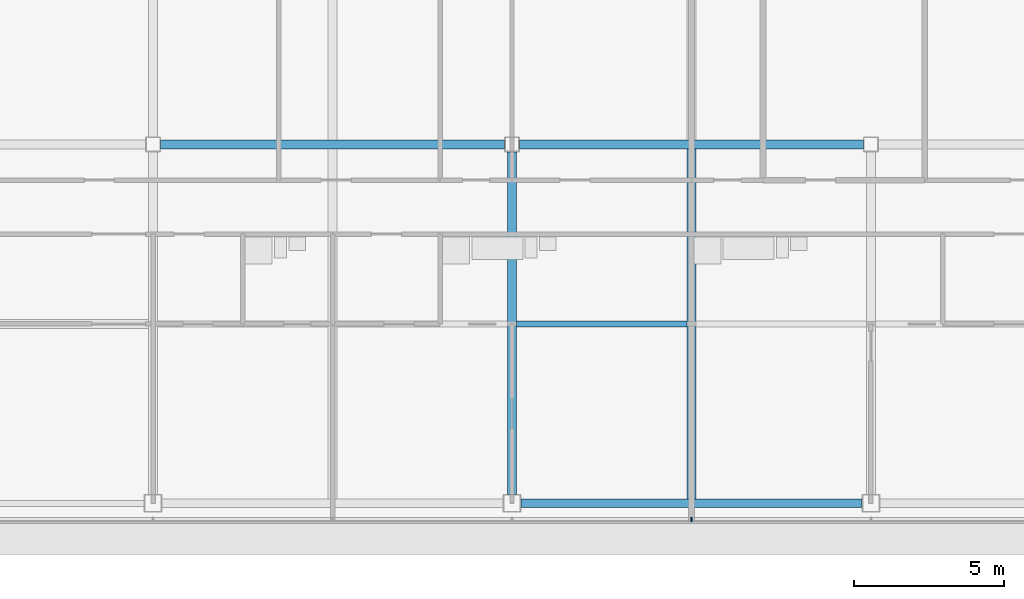
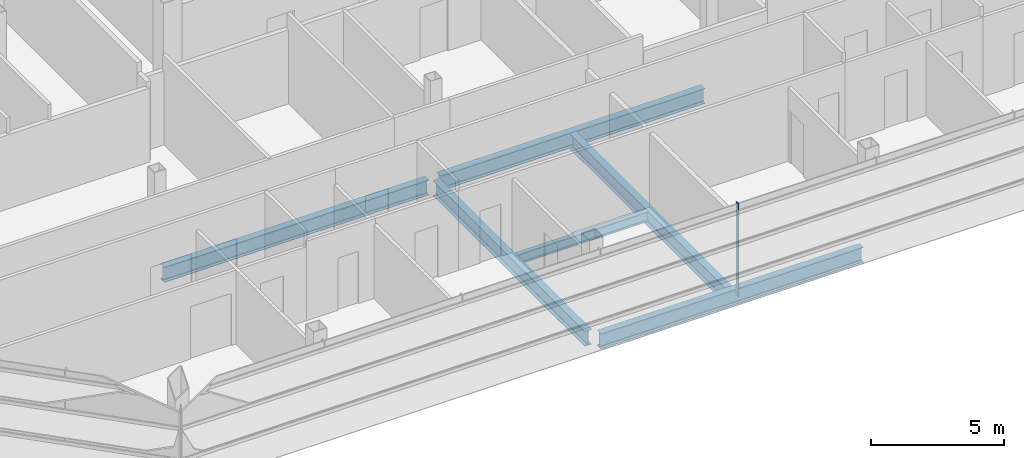
# One storey, part 4 of 29: 6 beams, 1 member, 1 element without a shape of its own.
"""IFC4 building model written with IfcOpenShell, lengths in metres."""

from ifc_helpers import new_model, si_unit, direction, frame, origin, origin_2d, place, context, subcontext, project, spatial, rectangle, i_section, extrude, material, material_profile, profile_set, type_object, element, aggregate, save


model = new_model("IFC4")

# Units and contexts
model_context = context("Model", 3, precision=1e-05, world=origin(), true_north=direction((0.0, 1.0)))
body_context = subcontext(model_context, "Body", "Model", "MODEL_VIEW")
ifc_project = project(units=[si_unit("LENGTHUNIT", "METRE"), si_unit("AREAUNIT", "SQUARE_METRE"), si_unit("VOLUMEUNIT", "CUBIC_METRE"), si_unit("PLANEANGLEUNIT", "RADIAN"), si_unit("MASSUNIT", "GRAM", prefix="KILO")], contexts=[model_context])

# Site, building, storey
site_placement = place(None, origin())
site = spatial("IfcSite", under=ifc_project, at=site_placement, CompositionType="ELEMENT")
building_placement = place(site_placement, origin())
building = spatial("IfcBuilding", under=site, at=building_placement, Name="Sorahane Residences", CompositionType="ELEMENT")
storey_placement = place(building_placement, frame((0.0, 0.0, 277.39990234375)))
storey = spatial("IfcBuildingStorey", under=building, at=storey_placement, Name="L66", CompositionType="ELEMENT", Elevation=277.39990234375)

# Curtain wall, member
ifc_material_1 = material(Name="Dark low-e glass and black anodised aluminium", Category="aluminium")
curtain_wall_type = type_object("IfcCurtainWallType", Name="Curtain wall CW-1 Typical unitised wall", PredefinedType="NOTDEFINED", material=ifc_material_1)
curtain_wall_placement = place(storey_placement, origin())
curtain_wall = element("IfcCurtainWall", 1, at=curtain_wall_placement, inside=storey, type_object=curtain_wall_type, Name="CW-1 curtain wall L66 S1", PredefinedType="NOTDEFINED")
ifc_material_2 = material(Name="Black anodised aluminium", Category="aluminium")
ifc_material_profile_1 = material_profile(ifc_material_2, rectangle(XDim=0.159912109375, YDim=0.050048828125, at=origin_2d()), Name="Curtain wall mullion CW-1 black anodised aluminium 50x160")
ifc_profile_set_1 = profile_set([ifc_material_profile_1], Name="Black anodised aluminium")
member_type = type_object("IfcMemberType", Name="Curtain wall mullion CW-1 black anodised aluminium 50x160", PredefinedType="MULLION", material=ifc_profile_set_1)
member_placement = place(storey_placement, frame((18.0, -0.5400390625, -0.179931640625), z_axis=(0.0, 0.0, 1.0), x_axis=(0.0, -1.0, 0.0)))
member = element("IfcMember", 2, at=member_placement, type_object=member_type, Name="CW-1 mullion L66 S1.5", PredefinedType="MULLION", context=body_context, shape_type="SweptSolid", body=[
    extrude(rectangle(XDim=0.159912109375, YDim=0.050048828125, at=origin_2d()), origin(), (0.0, 0.0, 1.0), 4.280029296875),
])
aggregate(curtain_wall, [member])

# Beams
ifc_material_3 = material(Name="Steel Q355B", Category="steel")
ifc_material_profile_2 = material_profile(ifc_material_3, i_section(OverallWidth=0.199951171875, OverallDepth=0.449951171875, WebThickness=0.009033203125, FlangeThickness=0.013916015625, FilletRadius=0.02001953125, at=origin_2d()), Name="HN 450x200x9x14")
ifc_profile_set_2 = profile_set([ifc_material_profile_2], Name="Steel Q355B")
beam_type_1 = type_object("IfcBeamType", Name="Steel floor beam HN 450x200x9x14 Q355B", PredefinedType="BEAM", material=ifc_profile_set_2)
beam_1_placement = place(storey_placement, frame((12.14990234375, 6.0, -0.40478515625), z_axis=(1.0, 0.0, 0.0), x_axis=(0.0, 1.0, 0.0)))
element("IfcBeam", 3, at=beam_1_placement, inside=storey, type_object=beam_type_1, Name="Beam L66 071", PredefinedType="BEAM", context=body_context, shape_type="SweptSolid", body=[
    extrude(i_section(OverallWidth=0.199951171875, OverallDepth=0.449951171875, WebThickness=0.009033203125, FlangeThickness=0.013916015625, FilletRadius=0.02001953125, at=origin_2d()), origin(), (0.0, 0.0, 1.0), 5.7001953125),
])
ifc_material_4 = material(Name="Steel Q355B", Category="steel")
ifc_material_profile_3 = material_profile(ifc_material_4, i_section(OverallWidth=0.300048828125, OverallDepth=0.699951171875, WebThickness=0.012939453125, FlangeThickness=0.02392578125, FilletRadius=0.028076171875, at=origin_2d()), Name="HN 700x300x13x24")
ifc_profile_set_3 = profile_set([ifc_material_profile_3], Name="Steel Q355B")
beam_type_2 = type_object("IfcBeamType", Name="Steel floor beam HN 700x300x13x24 Q355B", PredefinedType="BEAM", material=ifc_profile_set_3)
beam_2_placement = place(storey_placement, frame((12.300048828125, 0.0, -0.52978515625), z_axis=(1.0, 0.0, 0.0), x_axis=(0.0, 1.0, 0.0)))
element("IfcBeam", 4, at=beam_2_placement, inside=storey, type_object=beam_type_2, Name="Beam L66 002", PredefinedType="BEAM", context=body_context, shape_type="SweptSolid", body=[
    extrude(i_section(OverallWidth=0.300048828125, OverallDepth=0.699951171875, WebThickness=0.012939453125, FlangeThickness=0.02392578125, FilletRadius=0.028076171875, at=origin_2d()), origin(), (0.0, 0.0, 1.0), 11.39990234375),
])
for number, where, z_axis, x_axis, name in (
    (5, (0.25, 12.0, -0.52978515625), (1.0, 0.0, 0.0), (0.0, 1.0, 0.0), "Beam L66 006"),
    (6, (12.25, 12.0, -0.52978515625), (1.0, 0.0, 0.0), (0.0, 1.0, 0.0), "Beam L66 007"),
):
    element("IfcBeam", number, at=place(storey_placement, frame(where, z_axis=z_axis, x_axis=x_axis)), inside=storey, type_object=beam_type_2, Name=name, PredefinedType="BEAM", context=body_context, shape_type="SweptSolid", body=[
        extrude(i_section(OverallWidth=0.300048828125, OverallDepth=0.699951171875, WebThickness=0.012939453125, FlangeThickness=0.02392578125, FilletRadius=0.028076171875, at=origin_2d()), origin(), (0.0, 0.0, 1.0), 11.5),
    ])
beam_3_placement = place(storey_placement, frame((12.0, 0.300048828125, -0.52978515625), z_axis=(0.0, 1.0, 0.0), x_axis=(-1.0, 0.0, 0.0)))
element("IfcBeam", 7, at=beam_3_placement, inside=storey, type_object=beam_type_2, Name="Beam L66 034", PredefinedType="BEAM", context=body_context, shape_type="SweptSolid", body=[
    extrude(i_section(OverallWidth=0.300048828125, OverallDepth=0.699951171875, WebThickness=0.012939453125, FlangeThickness=0.02392578125, FilletRadius=0.028076171875, at=origin_2d()), origin(), (0.0, 0.0, 1.0), 11.449951171875),
])
beam_4_placement = place(storey_placement, frame((18.0, 0.14990234375, -0.52978515625), z_axis=(0.0, 1.0, 0.0), x_axis=(-1.0, 0.0, 0.0)))
element("IfcBeam", 8, at=beam_4_placement, inside=storey, type_object=beam_type_2, Name="Beam L66 036", PredefinedType="BEAM", context=body_context, shape_type="SweptSolid", body=[
    extrude(i_section(OverallWidth=0.300048828125, OverallDepth=0.699951171875, WebThickness=0.012939453125, FlangeThickness=0.02392578125, FilletRadius=0.028076171875, at=origin_2d()), origin(), (0.0, 0.0, 1.0), 11.7001953125),
])

save(model, "model.ifc")
